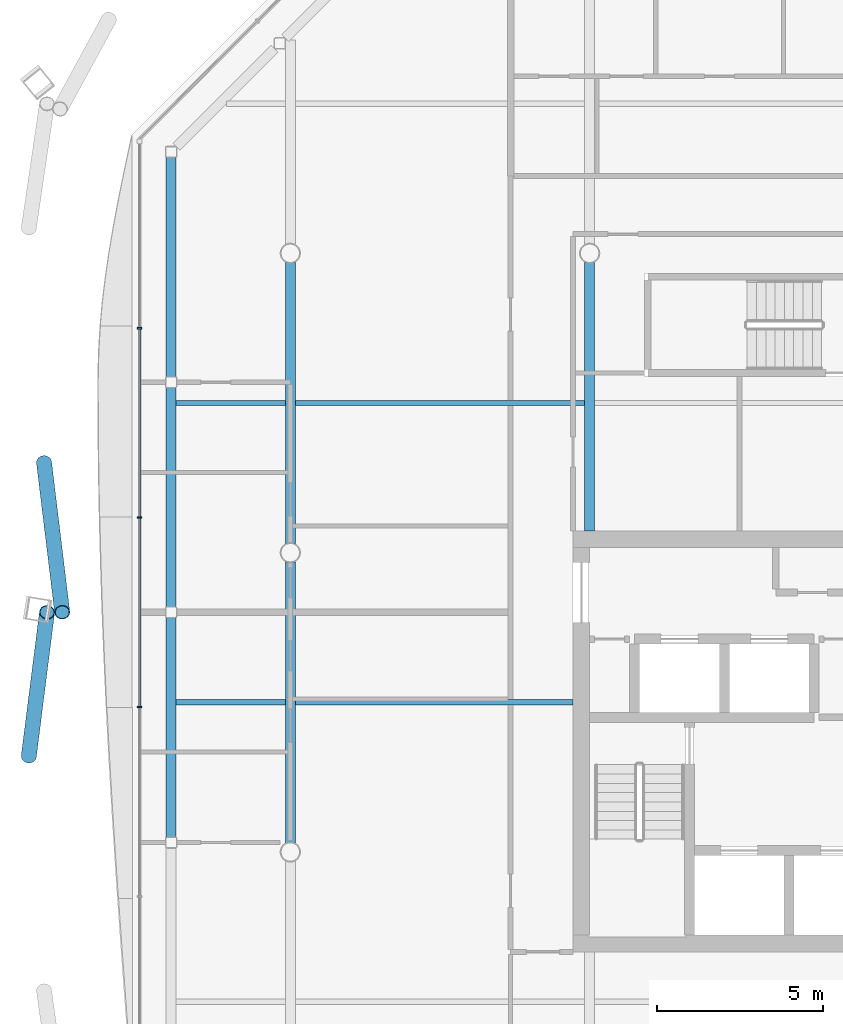
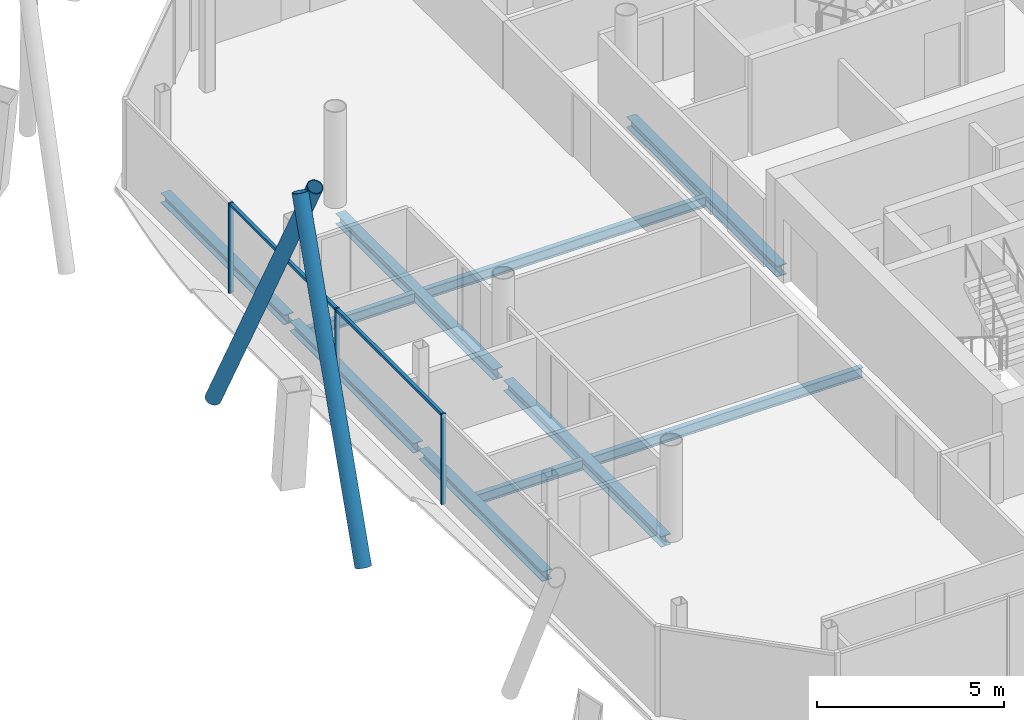
# One storey, part 6 of 20: 10 beams, 7 members, 1 element without a shape of its own.
"""IFC4 building model written with IfcOpenShell, lengths in metres."""

from ifc_helpers import new_model, si_unit, direction, frame, origin, origin_2d, place, context, subcontext, project, spatial, rectangle, hollow_circle, i_section, extrude, material, material_profile, profile_set, type_object, element, aggregate, save


model = new_model("IFC4")

# Units and contexts
model_context = context("Model", 3, precision=1e-05, world=origin(), true_north=direction((0.0, 1.0)))
body_context = subcontext(model_context, "Body", "Model", "MODEL_VIEW")
ifc_project = project(units=[si_unit("LENGTHUNIT", "METRE"), si_unit("AREAUNIT", "SQUARE_METRE"), si_unit("VOLUMEUNIT", "CUBIC_METRE"), si_unit("PLANEANGLEUNIT", "RADIAN"), si_unit("MASSUNIT", "GRAM", prefix="KILO")], contexts=[model_context])

# Site, building, storey
site_placement = place(None, origin())
site = spatial("IfcSite", under=ifc_project, at=site_placement, CompositionType="ELEMENT")
building_placement = place(site_placement, origin())
building = spatial("IfcBuilding", under=site, at=building_placement, Name="Tskaro Facet Tower", CompositionType="ELEMENT")
storey_placement = place(building_placement, frame((0.0, 0.0, 200.550048828125)))
storey = spatial("IfcBuildingStorey", under=building, at=storey_placement, Name="L51", CompositionType="ELEMENT", Elevation=200.550048828125)

# Members
ifc_material_1 = material(Name="Steel S355J2H", Category="steel")
ifc_material_profile_1 = material_profile(ifc_material_1, hollow_circle(Radius=0.228515625, WallThickness=0.02001953125, at=origin_2d()), Name="CHS 457x20")
ifc_profile_set_1 = profile_set([ifc_material_profile_1], Name="Steel S355J2H")
member_type_1 = type_object("IfcMemberType", Name="CHS 457x20 brace", PredefinedType="BRACE", material=ifc_profile_set_1)
member_1_placement = place(storey_placement, frame((-25.404296875, 2.709228515625, 0.0), z_axis=(0.052266134333, -0.429518619981, 0.90154423424), x_axis=(0.992677554553, 0.12079434046, 0.0)))
element("IfcMember", 1, at=member_1_placement, inside=storey, type_object=member_type_1, Name="CHS 457x20 XB10A/4", PredefinedType="BRACE", context=body_context, shape_type="SweptSolid", body=[
    extrude(hollow_circle(Radius=0.228515625, WallThickness=0.02001953125, at=origin_2d()), origin(), (0.0, 0.0, 1.0), 10.48193359375),
])
member_2_placement = place(storey_placement, frame((-25.861328125, -6.115966796875, 0.0), z_axis=(0.052646398454, 0.41542325197, 0.908103451404), x_axis=(-0.99206526087, 0.125723976133, 0.0)))
element("IfcMember", 2, at=member_2_placement, inside=storey, type_object=member_type_1, Name="CHS 457x20 XB11B/4", PredefinedType="BRACE", context=body_context, shape_type="SweptSolid", body=[
    extrude(hollow_circle(Radius=0.228515625, WallThickness=0.02001953125, at=origin_2d()), origin(), (0.0, 0.0, 1.0), 10.40625),
])

# Curtain wall, members
ifc_material_2 = material(Name="Bronze anodised aluminium 6063-T6", Category="aluminium")
curtain_wall_type = type_object("IfcCurtainWallType", Name="Bronze residence curtain wall (FW3)", PredefinedType="NOTDEFINED", material=ifc_material_2)
curtain_wall_placement = place(storey_placement, origin())
curtain_wall = element("IfcCurtainWall", 3, at=curtain_wall_placement, inside=storey, type_object=curtain_wall_type, Name="FW3 west facet L51", PredefinedType="NOTDEFINED")
ifc_material_profile_2 = material_profile(ifc_material_2, rectangle(XDim=0.050048828125, YDim=0.139892578125, at=origin_2d()), Name="Mullion 50x140")
ifc_profile_set_2 = profile_set([ifc_material_profile_2], Name="Bronze anodised aluminium 6063-T6")
member_type_2 = type_object("IfcMemberType", Name="FW3 bronze mullion 50x140", PredefinedType="MULLION", material=ifc_profile_set_2)
member_3_placement = place(storey_placement, frame((-22.532958984375, 6.74609375, 0.0), z_axis=(0.0, 0.0, 1.0), x_axis=(0.0, -1.0, 0.0)))
member_3 = element("IfcMember", 4, at=member_3_placement, type_object=member_type_2, Name="FW3 west mullion 1", PredefinedType="MULLION", context=body_context, shape_type="SweptSolid", body=[
    extrude(rectangle(XDim=0.050048828125, YDim=0.139892578125, at=origin_2d()), origin(), (0.0, 0.0, 1.0), 2.949951171875),
])
member_4_placement = place(storey_placement, frame((-22.532958984375, 1.052978515625, 0.0), z_axis=(0.0, 0.0, 1.0), x_axis=(0.0, -1.0, 0.0)))
member_4 = element("IfcMember", 5, at=member_4_placement, type_object=member_type_2, Name="FW3 west mullion 2", PredefinedType="MULLION", context=body_context, shape_type="SweptSolid", body=[
    extrude(rectangle(XDim=0.050048828125, YDim=0.139892578125, at=origin_2d()), origin(), (0.0, 0.0, 1.0), 2.949951171875),
])
member_5_placement = place(storey_placement, frame((-22.532958984375, -4.639892578125, 0.0), z_axis=(0.0, 0.0, 1.0), x_axis=(0.0, -1.0, 0.0)))
member_5 = element("IfcMember", 6, at=member_5_placement, type_object=member_type_2, Name="FW3 west mullion 3", PredefinedType="MULLION", context=body_context, shape_type="SweptSolid", body=[
    extrude(rectangle(XDim=0.050048828125, YDim=0.139892578125, at=origin_2d()), origin(), (0.0, 0.0, 1.0), 2.949951171875),
])
ifc_material_profile_3 = material_profile(ifc_material_2, rectangle(XDim=0.10009765625, YDim=0.090087890625, at=origin_2d()), Name="Transom 100x90")
ifc_profile_set_3 = profile_set([ifc_material_profile_3], Name="Bronze anodised aluminium 6063-T6")
member_type_3 = type_object("IfcMemberType", Name="FW3 bronze transom 100x90", PredefinedType="USERDEFINED", material=ifc_profile_set_3)
member_6_placement = place(storey_placement, frame((-22.532958984375, 6.720947265625, 2.905029296875), z_axis=(0.0, -1.0, 0.0), x_axis=(1.0, 0.0, 0.0)))
member_6 = element("IfcMember", 7, at=member_6_placement, type_object=member_type_3, Name="FW3 west transom 2.1", ObjectType="TRANSOM", PredefinedType="USERDEFINED", context=body_context, shape_type="SweptSolid", body=[
    extrude(rectangle(XDim=0.10009765625, YDim=0.090087890625, at=origin_2d()), origin(), (0.0, 0.0, 1.0), 5.64306640625),
])
member_7_placement = place(storey_placement, frame((-22.532958984375, 1.028076171875, 2.905029296875), z_axis=(0.0, -1.0, 0.0), x_axis=(1.0, 0.0, 0.0)))
member_7 = element("IfcMember", 8, at=member_7_placement, type_object=member_type_3, Name="FW3 west transom 3.1", ObjectType="TRANSOM", PredefinedType="USERDEFINED", context=body_context, shape_type="SweptSolid", body=[
    extrude(rectangle(XDim=0.10009765625, YDim=0.090087890625, at=origin_2d()), origin(), (0.0, 0.0, 1.0), 5.64306640625),
])
aggregate(curtain_wall, [member_3, member_4, member_5, member_6, member_7])

# Beams
ifc_material_3 = material(Name="Steel S355J2", Category="steel")
ifc_material_profile_4 = material_profile(ifc_material_3, i_section(OverallWidth=0.300048828125, OverallDepth=0.320068359375, WebThickness=0.011474609375, FlangeThickness=0.0205078125, FilletRadius=0.027099609375, at=origin_2d()), Name="HE 320 B")
ifc_profile_set_4 = profile_set([ifc_material_profile_4], Name="Steel S355J2")
beam_type_1 = type_object("IfcBeamType", Name="HE 320 B ring beam", PredefinedType="BEAM", material=ifc_profile_set_4)
beam_1_placement = place(storey_placement, frame((-21.5830078125, 11.89111328125, -0.300048828125), z_axis=(0.0, -1.0, 0.0), x_axis=(1.0, 0.0, 0.0)))
element("IfcBeam", 9, at=beam_1_placement, inside=storey, type_object=beam_type_1, Name="HE 320 B EB17-4", PredefinedType="BEAM", context=body_context, shape_type="SweptSolid", body=[
    extrude(i_section(OverallWidth=0.300048828125, OverallDepth=0.320068359375, WebThickness=0.011474609375, FlangeThickness=0.0205078125, FilletRadius=0.027099609375, at=origin_2d()), origin(), (0.0, 0.0, 1.0), 6.610107421875),
])
beam_2_placement = place(storey_placement, frame((-21.5830078125, 4.970947265625, -0.300048828125), z_axis=(0.0, -1.0, 0.0), x_axis=(1.0, 0.0, 0.0)))
element("IfcBeam", 10, at=beam_2_placement, inside=storey, type_object=beam_type_1, Name="HE 320 B EB18-4", PredefinedType="BEAM", context=body_context, shape_type="SweptSolid", body=[
    extrude(i_section(OverallWidth=0.300048828125, OverallDepth=0.320068359375, WebThickness=0.011474609375, FlangeThickness=0.0205078125, FilletRadius=0.027099609375, at=origin_2d()), origin(), (0.0, 0.0, 1.0), 6.60888671875),
])
beam_3_placement = place(storey_placement, frame((-21.5830078125, -1.947998046875, -0.300048828125), z_axis=(0.0, -1.0, 0.0), x_axis=(1.0, 0.0, 0.0)))
element("IfcBeam", 11, at=beam_3_placement, inside=storey, type_object=beam_type_1, Name="HE 320 B EB19-4", PredefinedType="BEAM", context=body_context, shape_type="SweptSolid", body=[
    extrude(i_section(OverallWidth=0.300048828125, OverallDepth=0.320068359375, WebThickness=0.011474609375, FlangeThickness=0.0205078125, FilletRadius=0.027099609375, at=origin_2d()), origin(), (0.0, 0.0, 1.0), 6.610107421875),
])
ifc_material_profile_5 = material_profile(ifc_material_3, i_section(OverallWidth=0.300048828125, OverallDepth=0.35009765625, WebThickness=0.010009765625, FlangeThickness=0.017578125, FilletRadius=0.027099609375, at=origin_2d()), Name="HE 360 A")
ifc_profile_set_5 = profile_set([ifc_material_profile_5], Name="Steel S355J2")
beam_type_2 = type_object("IfcBeamType", Name="HE 360 A girder", PredefinedType="BEAM", material=ifc_profile_set_5)
for number, where, z_axis, x_axis, name in (
    (12, (-18.0, -8.72509765625, -0.31494140625), (0.0, 1.0, 0.0), (-1.0, 0.0, 0.0), "HE 360 A GB2-2-4"),
    (13, (-18.0, 0.27490234375, -0.31494140625), (0.0, 1.0, 0.0), (-1.0, 0.0, 0.0), "HE 360 A GB2-3-4"),
):
    element("IfcBeam", number, at=place(storey_placement, frame(where, z_axis=z_axis, x_axis=x_axis)), inside=storey, type_object=beam_type_2, Name=name, PredefinedType="BEAM", context=body_context, shape_type="SweptSolid", body=[
        extrude(i_section(OverallWidth=0.300048828125, OverallDepth=0.35009765625, WebThickness=0.010009765625, FlangeThickness=0.017578125, FilletRadius=0.027099609375, at=origin_2d()), origin(), (0.0, 0.0, 1.0), 8.4501953125),
    ])
beam_4_placement = place(storey_placement, frame((-9.0, 0.64990234375, -0.31494140625), z_axis=(0.0, 1.0, 0.0), x_axis=(-1.0, 0.0, 0.0)))
element("IfcBeam", 14, at=beam_4_placement, inside=storey, type_object=beam_type_2, Name="HE 360 A GB3-2-4", PredefinedType="BEAM", context=body_context, shape_type="SweptSolid", body=[
    extrude(i_section(OverallWidth=0.300048828125, OverallDepth=0.35009765625, WebThickness=0.010009765625, FlangeThickness=0.017578125, FilletRadius=0.027099609375, at=origin_2d()), origin(), (0.0, 0.0, 1.0), 8.0751953125),
])
ifc_material_profile_6 = material_profile(ifc_material_3, i_section(OverallWidth=0.159912109375, OverallDepth=0.330078125, WebThickness=0.007568359375, FlangeThickness=0.011474609375, FilletRadius=0.01806640625, at=origin_2d()), Name="IPE 330")
ifc_profile_set_6 = profile_set([ifc_material_profile_6], Name="Steel S355J2")
beam_type_3 = type_object("IfcBeamType", Name="IPE 330 secondary beam", PredefinedType="BEAM", material=ifc_profile_set_6)
beam_5_placement = place(storey_placement, frame((-21.43310546875, -4.5, -0.304931640625), z_axis=(1.0, 0.0, 0.0), x_axis=(0.0, 1.0, 0.0)))
element("IfcBeam", 15, at=beam_5_placement, inside=storey, type_object=beam_type_3, Name="IPE 330 SB3a-1-4", PredefinedType="BEAM", context=body_context, shape_type="SweptSolid", body=[
    extrude(i_section(OverallWidth=0.159912109375, OverallDepth=0.330078125, WebThickness=0.007568359375, FlangeThickness=0.011474609375, FilletRadius=0.01806640625, at=origin_2d()), origin(), (0.0, 0.0, 1.0), 3.283203125),
])
beam_6_placement = place(storey_placement, frame((-17.85009765625, -4.5, -0.304931640625), z_axis=(1.0, 0.0, 0.0), x_axis=(0.0, 1.0, 0.0)))
element("IfcBeam", 16, at=beam_6_placement, inside=storey, type_object=beam_type_3, Name="IPE 330 SB3a-2-4", PredefinedType="BEAM", context=body_context, shape_type="SweptSolid", body=[
    extrude(i_section(OverallWidth=0.159912109375, OverallDepth=0.330078125, WebThickness=0.007568359375, FlangeThickness=0.011474609375, FilletRadius=0.01806640625, at=origin_2d()), origin(), (0.0, 0.0, 1.0), 8.35009765625),
])
beam_7_placement = place(storey_placement, frame((-21.43310546875, 4.5, -0.304931640625), z_axis=(1.0, 0.0, 0.0), x_axis=(0.0, 1.0, 0.0)))
element("IfcBeam", 17, at=beam_7_placement, inside=storey, type_object=beam_type_3, Name="IPE 330 SB4a-1-4", PredefinedType="BEAM", context=body_context, shape_type="SweptSolid", body=[
    extrude(i_section(OverallWidth=0.159912109375, OverallDepth=0.330078125, WebThickness=0.007568359375, FlangeThickness=0.011474609375, FilletRadius=0.01806640625, at=origin_2d()), origin(), (0.0, 0.0, 1.0), 3.283203125),
])
beam_8_placement = place(storey_placement, frame((-17.85009765625, 4.5, -0.304931640625), z_axis=(1.0, 0.0, 0.0), x_axis=(0.0, 1.0, 0.0)))
element("IfcBeam", 18, at=beam_8_placement, inside=storey, type_object=beam_type_3, Name="IPE 330 SB4a-2-4", PredefinedType="BEAM", context=body_context, shape_type="SweptSolid", body=[
    extrude(i_section(OverallWidth=0.159912109375, OverallDepth=0.330078125, WebThickness=0.007568359375, FlangeThickness=0.011474609375, FilletRadius=0.01806640625, at=origin_2d()), origin(), (0.0, 0.0, 1.0), 8.7001953125),
])

save(model, "model.ifc")
